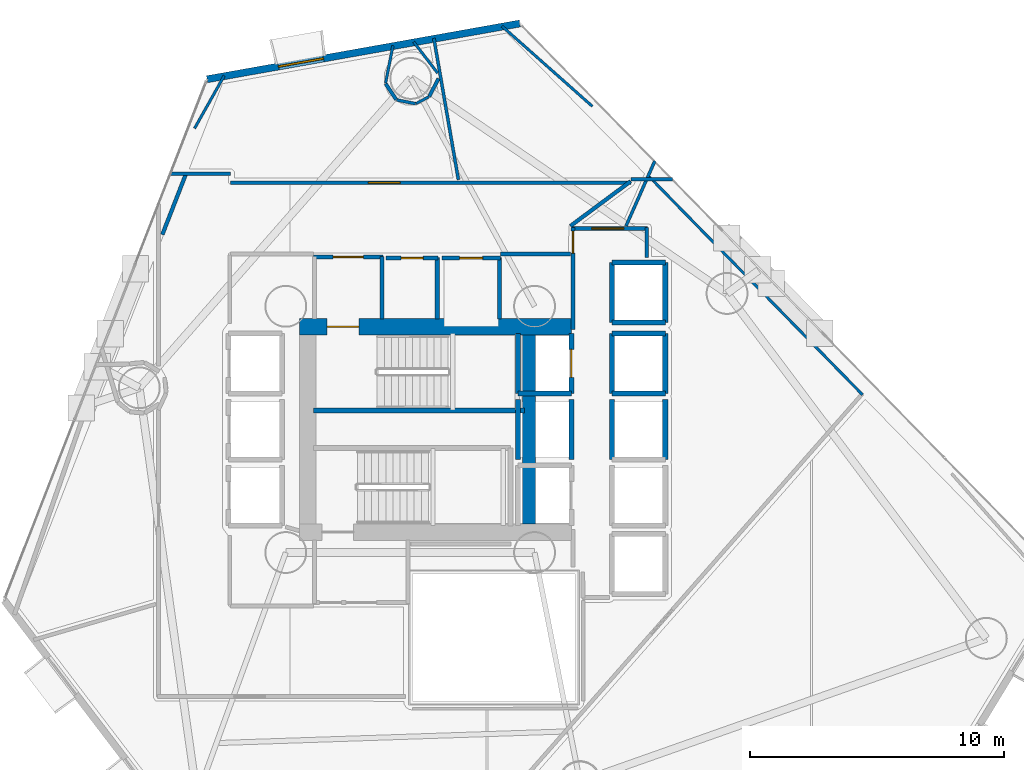
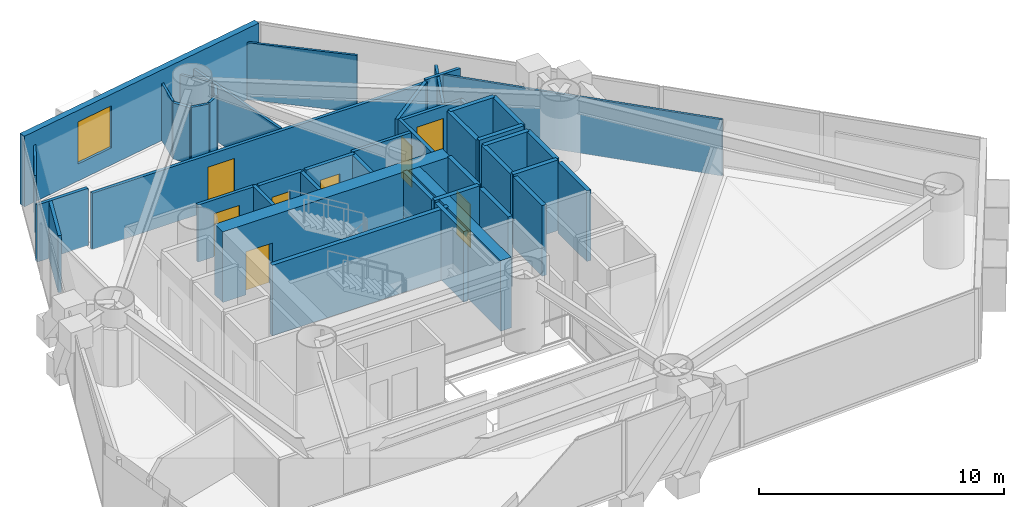
# One storey, part 17 of 23: 45 walls, 8 doors, 1 window, 9 openings.
"""IFC4 building model written with IfcOpenShell, lengths in metres."""

from ifc_helpers import new_model, si_unit, direction, frame, frame_2d, origin, place, context, subcontext, project, spatial, rectangle, extrude, material, layer, layer_set, type_object, element, fill, save


model = new_model("IFC4")

# Units and contexts
model_context = context("Model", 3, precision=1e-05, world=origin(), true_north=direction((0.0, 1.0)))
body_context = subcontext(model_context, "Body", "Model", "MODEL_VIEW")
ifc_project = project(units=[si_unit("LENGTHUNIT", "METRE"), si_unit("AREAUNIT", "SQUARE_METRE"), si_unit("VOLUMEUNIT", "CUBIC_METRE"), si_unit("PLANEANGLEUNIT", "RADIAN"), si_unit("MASSUNIT", "GRAM", prefix="KILO")], contexts=[model_context])

# Site, building, storey
site_placement = place(None, origin())
site = spatial("IfcSite", under=ifc_project, at=site_placement, CompositionType="ELEMENT")
building_placement = place(site_placement, origin())
building = spatial("IfcBuilding", under=site, at=building_placement, Name="Qianvela Tower", CompositionType="ELEMENT")
storey_placement = place(building_placement, frame((0.0, 0.0, 56.199951171875)))
storey = spatial("IfcBuildingStorey", under=building, at=storey_placement, Name="L13", CompositionType="ELEMENT", Elevation=56.199951171875)

# Wall, opening, window
ifc_material_1 = material(Name="Terracotta Cladding on Concrete C40", Category="masonry")
ifc_layer_1 = layer(ifc_material_1, 0.280029296875)
ifc_layer_set_1 = layer_set([ifc_layer_1], Name="Terracotta Cladding on Concrete C40")
wall_type_1 = type_object("IfcWallType", Name="TERRACOTTA-WALL-280", PredefinedType="SOLIDWALL", material=ifc_layer_set_1)
wall_1_placement = place(storey_placement, frame((37.820556640625, 44.6923828125, 0.0), z_axis=(0.0, 0.0, 1.0), x_axis=(-0.984485525456, -0.175465809113, 0.0)))
wall_1 = element("IfcWall", 1, at=wall_1_placement, inside=storey, type_object=wall_type_1, Name="L13 Terracotta Chamfer Facet Wall 3", PredefinedType="SOLIDWALL", context=body_context, shape_type="SweptSolid", body=[
    extrude(rectangle(XDim=12.5126953125, YDim=0.280029296875, at=frame_2d((6.25634765625, 0.0))), origin(), (0.0, 0.0, 1.0), 3.52001953125),
])
opening_1_placement = place(wall_1_placement, frame((7.85888671875, 0.0, 0.85009765625)))
opening_1 = element("IfcOpeningElement", 2, at=opening_1_placement, cuts=wall_1, Name="Opening W-01", PredefinedType="OPENING", context=body_context, shape_type="SweptSolid", body=[
    extrude(rectangle(XDim=1.800048828125, YDim=2.10009765625, at=frame_2d((0.89990234375, 1.050048828125))), frame((0.0, 0.14990234375, 0.0), z_axis=(0.0, -1.0, 0.0), x_axis=(1.0, 0.0, 0.0)), (0.0, 0.0, 1.0), 0.300048828125),
])
ifc_material_2 = material(Name="Thermally Broken Aluminium and Low-E Glass", Category="aluminium")
window_type = type_object("IfcWindowType", Name="WIN-TC-1800x2100", PartitioningType="DOUBLE_PANEL_VERTICAL", PredefinedType="WINDOW", material=ifc_material_2)
window_placement = place(opening_1_placement, origin())
window = element("IfcWindow", 3, at=window_placement, inside=storey, type_object=window_type, Name="L13 Chamfer Facet Window 3.1", OverallHeight=2.10009765625, OverallWidth=1.800048828125, PartitioningType="SINGLE_PANEL", PredefinedType="WINDOW", context=body_context, shape_type="SweptSolid", body=[
    extrude(rectangle(XDim=1.800048828125, YDim=2.10009765625, at=frame_2d((0.89990234375, 1.050048828125))), frame((0.0, 0.030029296875, 0.0), z_axis=(0.0, -1.0, 0.0), x_axis=(1.0, 0.0, 0.0)), (0.0, 0.0, 1.0), 0.06005859375),
])
fill(opening_1, window)

# Wall, opening, door
ifc_material_3 = material(Name="Concrete C60", Category="concrete")
ifc_layer_2 = layer(ifc_material_3, 0.64990234375)
ifc_layer_set_2 = layer_set([ifc_layer_2], Name="Concrete C60")
wall_type_2 = type_object("IfcWallType", Name="WT-CORE-650", PredefinedType="SHEAR", material=ifc_layer_set_2)
wall_2_placement = place(storey_placement, frame((29.1298828125, 32.7451171875, 0.0), z_axis=(0.0, 0.0, 1.0), x_axis=(1.0, 0.0, 0.0)))
wall_2 = element("IfcWall", 4, at=wall_2_placement, inside=storey, type_object=wall_type_2, Name="L13 North Core Shear Wall", PredefinedType="SHEAR", context=body_context, shape_type="SweptSolid", body=[
    extrude(rectangle(XDim=10.72021484375, YDim=0.64990234375, at=frame_2d((5.360107421875, 0.0))), origin(), (0.0, 0.0, 1.0), 3.52001953125),
])
opening_2_placement = place(wall_2_placement, frame((1.094970703125, 0.0, 0.0)))
opening_2 = element("IfcOpeningElement", 5, at=opening_2_placement, cuts=wall_2, Name="Opening D-ST1", PredefinedType="OPENING", context=body_context, shape_type="SweptSolid", body=[
    extrude(rectangle(XDim=1.25, YDim=2.14990234375, at=frame_2d((0.625, 1.074951171875))), frame((0.0, 0.3349609375, 0.0), z_axis=(0.0, -1.0, 0.0), x_axis=(1.0, 0.0, 0.0)), (0.0, 0.0, 1.0), 0.669921875),
])
ifc_material_4 = material(Name="Galvanised Fire Steel Q355B", Category="steel")
door_type_1 = type_object("IfcDoorType", Name="DT-STAIR-FD90", OperationType="NOTDEFINED", PredefinedType="DOOR", material=ifc_material_4)
door_1_placement = place(opening_2_placement, origin())
door_1 = element("IfcDoor", 6, at=door_1_placement, inside=storey, type_object=door_type_1, Name="L13 Stair ST-1 Exit Door", OperationType="SINGLE_SWING_RIGHT", OverallHeight=2.14990234375, OverallWidth=1.25, PredefinedType="DOOR", context=body_context, shape_type="SweptSolid", body=[
    extrude(rectangle(XDim=1.25, YDim=2.14990234375, at=frame_2d((0.625, 1.074951171875))), frame((0.0, 0.02490234375, 0.0), z_axis=(0.0, -1.0, 0.0), x_axis=(1.0, 0.0, 0.0)), (0.0, 0.0, 1.0), 0.050048828125),
])
fill(opening_2, door_1)

# Wall
wall_3_placement = place(storey_placement, frame((38.179931640625, 24.97998046875, 0.0), z_axis=(0.0, 0.0, 1.0), x_axis=(0.0, 1.0, 0.0)))
element("IfcWall", 7, at=wall_3_placement, inside=storey, type_object=wall_type_2, Name="L13 East Spine Core Shear Wall", PredefinedType="SHEAR", context=body_context, shape_type="SweptSolid", body=[
    extrude(rectangle(XDim=7.43994140625, YDim=0.5, at=frame_2d((3.719970703125, 0.0))), origin(), (0.0, 0.0, 1.0), 3.52001953125),
])

# Wall, opening, door
ifc_material_5 = material(Name="Fire-Rated Acoustic Gypsum Board")
ifc_layer_3 = layer(ifc_material_5, 0.14990234375)
ifc_layer_set_3 = layer_set([ifc_layer_3], Name="Fire-Rated Acoustic Gypsum Board")
wall_type_3 = type_object("IfcWallType", Name="WT-CORR-150", PredefinedType="PARTITIONING", material=ifc_layer_set_3)
wall_4_placement = place(storey_placement, frame((29.699951171875, 35.489013671875, 0.0), z_axis=(0.0, 0.0, 1.0), x_axis=(1.0, 0.0, 0.0)))
wall_4 = element("IfcWall", 8, at=wall_4_placement, inside=storey, type_object=wall_type_3, Name="L13 Partition 3", PredefinedType="PARTITIONING", context=body_context, shape_type="SweptSolid", body=[
    extrude(rectangle(XDim=2.719970703125, YDim=0.14990234375, at=frame_2d((1.35986328125, 0.0))), origin(), (0.0, 0.0, 1.0), 2.840087890625),
])
opening_3_placement = place(wall_4_placement, frame((0.760009765625, 0.0, 0.0)))
opening_3 = element("IfcOpeningElement", 9, at=opening_3_placement, cuts=wall_4, Name="Opening D-LB1", PredefinedType="OPENING", context=body_context, shape_type="SweptSolid", body=[
    extrude(rectangle(XDim=1.199951171875, YDim=2.14990234375, at=frame_2d((0.60009765625, 1.074951171875))), frame((0.0, 0.0849609375, 0.0), z_axis=(0.0, -1.0, 0.0), x_axis=(1.0, 0.0, 0.0)), (0.0, 0.0, 1.0), 0.169921875),
])
ifc_material_6 = material(Name="Glazed Fire-Rated Steel Frame", Category="steel")
door_type_2 = type_object("IfcDoorType", Name="DT-LOBBY-FD90", OperationType="NOTDEFINED", PredefinedType="DOOR", material=ifc_material_6)
door_2_placement = place(opening_3_placement, origin())
door_2 = element("IfcDoor", 10, at=door_2_placement, inside=storey, type_object=door_type_2, Name="L13 Door L13 Firefighting Lobby North to L13 Floor Corridor", OperationType="SINGLE_SWING_LEFT", OverallHeight=2.14990234375, OverallWidth=1.199951171875, PredefinedType="DOOR", context=body_context, shape_type="SweptSolid", body=[
    extrude(rectangle(XDim=1.199951171875, YDim=2.14990234375, at=frame_2d((0.60009765625, 1.074951171875))), frame((0.0, 0.02490234375, 0.0), z_axis=(0.0, -1.0, 0.0), x_axis=(1.0, 0.0, 0.0)), (0.0, 0.0, 1.0), 0.050048828125),
])
fill(opening_3, door_2)

# Wall
wall_5_placement = place(storey_placement, frame((32.388916015625, 35.52001953125, 0.0), z_axis=(0.0, 0.0, 1.0), x_axis=(0.0, -1.0, 0.0)))
element("IfcWall", 11, at=wall_5_placement, inside=storey, type_object=wall_type_3, Name="L13 Partition 4", PredefinedType="PARTITIONING", context=body_context, shape_type="SweptSolid", body=[
    extrude(rectangle(XDim=2.4619140625, YDim=0.14990234375, at=frame_2d((1.23095703125, 0.0))), origin(), (0.0, 0.0, 1.0), 2.840087890625),
])

# Wall, opening, door
wall_6_placement = place(storey_placement, frame((39.910888671875, 32.639892578125, 0.0), z_axis=(0.0, 0.0, 1.0), x_axis=(0.0, 1.0, 0.0)))
wall_6 = element("IfcWall", 12, at=wall_6_placement, inside=storey, type_object=wall_type_3, Name="L13 Partition 10", PredefinedType="PARTITIONING", context=body_context, shape_type="SweptSolid", body=[
    extrude(rectangle(XDim=4.010009765625, YDim=0.14990234375, at=frame_2d((2.0048828125, 0.0))), origin(), (0.0, 0.0, 1.0), 2.840087890625),
])
opening_4_placement = place(wall_6_placement, frame((3.010009765625, 0.0, 0.0)))
opening_4 = element("IfcOpeningElement", 13, at=opening_4_placement, cuts=wall_6, Name="Opening D-LB2", PredefinedType="OPENING", context=body_context, shape_type="SweptSolid", body=[
    extrude(rectangle(XDim=0.860107421875, YDim=2.050048828125, at=frame_2d((0.43017578125, 1.02490234375))), frame((0.0, 0.0849609375, 0.0), z_axis=(0.0, -1.0, 0.0), x_axis=(1.0, 0.0, 0.0)), (0.0, 0.0, 1.0), 0.169921875),
])
ifc_material_7 = material(Name="Insulated Steel Fire Door Q355B", Category="steel")
door_type_3 = type_object("IfcDoorType", Name="DT-LOBBY-FD90-860", OperationType="NOTDEFINED", PredefinedType="DOOR", material=ifc_material_7)
door_3_placement = place(opening_4_placement, origin())
door_3 = element("IfcDoor", 14, at=door_3_placement, inside=storey, type_object=door_type_3, Name="L13 Door L13 Lift Lobby to L13 Floor Corridor", OperationType="SINGLE_SWING_LEFT", OverallHeight=2.050048828125, OverallWidth=0.860107421875, PredefinedType="DOOR", context=body_context, shape_type="SweptSolid", body=[
    extrude(rectangle(XDim=0.860107421875, YDim=2.050048828125, at=frame_2d((0.43017578125, 1.02490234375))), frame((0.0, 0.02490234375, 0.0), z_axis=(0.0, -1.0, 0.0), x_axis=(1.0, 0.0, 0.0)), (0.0, 0.0, 1.0), 0.050048828125),
])
fill(opening_4, door_3)

wall_7_placement = place(storey_placement, frame((39.8798828125, 36.618896484375, 0.0), z_axis=(0.0, 0.0, 1.0), x_axis=(1.0, 0.0, 0.0)))
wall_7 = element("IfcWall", 15, at=wall_7_placement, inside=storey, type_object=wall_type_3, Name="L13 Partition 11", PredefinedType="PARTITIONING", context=body_context, shape_type="SweptSolid", body=[
    extrude(rectangle(XDim=2.97021484375, YDim=0.14990234375, at=frame_2d((1.485107421875, 0.0))), origin(), (0.0, 0.0, 1.0), 2.798095703125),
])
opening_5_placement = place(wall_7_placement, frame((0.77783203125, 0.0, 0.0)))
opening_5 = element("IfcOpeningElement", 16, at=opening_5_placement, cuts=wall_7, Name="Opening D-LG1", PredefinedType="OPENING", context=body_context, shape_type="SweptSolid", body=[
    extrude(rectangle(XDim=1.25, YDim=2.199951171875, at=frame_2d((0.625, 1.10009765625))), frame((0.0, 0.0849609375, 0.0), z_axis=(0.0, -1.0, 0.0), x_axis=(1.0, 0.0, 0.0)), (0.0, 0.0, 1.0), 0.169921875),
])
ifc_material_8 = material(Name="Anodised Aluminium Acoustic Glass Door", Category="aluminium")
door_type_4 = type_object("IfcDoorType", Name="DT-LOUNGE-1250", OperationType="NOTDEFINED", PredefinedType="DOOR", material=ifc_material_8)
door_4_placement = place(opening_5_placement, origin())
door_4 = element("IfcDoor", 17, at=door_4_placement, inside=storey, type_object=door_type_4, Name="L13 Door Media Practice Cinema L13-02 to L13 Lift Lobby", OperationType="SINGLE_SWING_LEFT", OverallHeight=2.199951171875, OverallWidth=1.25, PredefinedType="DOOR", context=body_context, shape_type="SweptSolid", body=[
    extrude(rectangle(XDim=1.25, YDim=2.199951171875, at=frame_2d((0.625, 1.10009765625))), frame((0.0, 0.02490234375, 0.0), z_axis=(0.0, -1.0, 0.0), x_axis=(1.0, 0.0, 0.0)), (0.0, 0.0, 1.0), 0.050048828125),
])
fill(opening_5, door_4)

# Walls
wall_8_placement = place(storey_placement, frame((42.819091796875, 36.64990234375, 0.0), z_axis=(0.0, 0.0, 1.0), x_axis=(0.0, -1.0, 0.0)))
element("IfcWall", 18, at=wall_8_placement, inside=storey, type_object=wall_type_3, Name="L13 Partition 12", PredefinedType="PARTITIONING", context=body_context, shape_type="SweptSolid", body=[
    extrude(rectangle(XDim=1.169921875, YDim=0.14990234375, at=frame_2d((0.5849609375, 0.0))), origin(), (0.0, 0.0, 1.0), 2.798095703125),
])
wall_9_placement = place(storey_placement, frame((23.736083984375, 36.37548828125, 0.0), z_axis=(0.0, 0.0, 1.0), x_axis=(0.362842007319, 0.931850673512, 0.0)))
element("IfcWall", 19, at=wall_9_placement, inside=storey, type_object=wall_type_3, Name="L13 Partition 40", PredefinedType="PARTITIONING", context=body_context, shape_type="SweptSolid", body=[
    extrude(rectangle(XDim=2.58984375, YDim=0.14990234375, at=frame_2d((1.294921875, 0.0))), origin(), (0.0, 0.0, 1.0), 2.840087890625),
])
wall_10_placement = place(storey_placement, frame((24.030029296875, 38.76904296875, 0.0), z_axis=(0.0, 0.0, 1.0), x_axis=(1.0, 0.0, 0.0)))
element("IfcWall", 20, at=wall_10_placement, inside=storey, type_object=wall_type_3, Name="L13 Partition 41", PredefinedType="PARTITIONING", context=body_context, shape_type="SweptSolid", body=[
    extrude(rectangle(XDim=2.389892578125, YDim=0.14990234375, at=frame_2d((1.19482421875, 0.0))), origin(), (0.0, 0.0, 1.0), 2.840087890625),
])

# Wall, opening, door
wall_11_placement = place(storey_placement, frame((26.419921875, 38.4189453125, 0.0), z_axis=(0.0, 0.0, 1.0), x_axis=(1.0, 0.0, 0.0)))
wall_11 = element("IfcWall", 21, at=wall_11_placement, inside=storey, type_object=wall_type_3, Name="L13 Partition 42", PredefinedType="PARTITIONING", context=body_context, shape_type="SweptSolid", body=[
    extrude(rectangle(XDim=15.783203125, YDim=0.14990234375, at=frame_2d((7.8916015625, 0.0))), origin(), (0.0, 0.0, 1.0), 2.798095703125),
])
opening_6_placement = place(wall_11_placement, frame((5.4375, 0.0, 0.0)))
opening_6 = element("IfcOpeningElement", 22, at=opening_6_placement, cuts=wall_11, Name="Opening D-LG1", PredefinedType="OPENING", context=body_context, shape_type="SweptSolid", body=[
    extrude(rectangle(XDim=1.25, YDim=2.199951171875, at=frame_2d((0.625, 1.10009765625))), frame((0.0, 0.0849609375, 0.0), z_axis=(0.0, -1.0, 0.0), x_axis=(1.0, 0.0, 0.0)), (0.0, 0.0, 1.0), 0.169921875),
])
door_5_placement = place(opening_6_placement, origin())
door_5 = element("IfcDoor", 23, at=door_5_placement, inside=storey, type_object=door_type_4, Name="L13 Door Student Fitness Gym L13-03 to L13 Floor Corridor", OperationType="SINGLE_SWING_RIGHT", OverallHeight=2.199951171875, OverallWidth=1.25, PredefinedType="DOOR", context=body_context, shape_type="SweptSolid", body=[
    extrude(rectangle(XDim=1.25, YDim=2.199951171875, at=frame_2d((0.625, 1.10009765625))), frame((0.0, 0.02490234375, 0.0), z_axis=(0.0, -1.0, 0.0), x_axis=(1.0, 0.0, 0.0)), (0.0, 0.0, 1.0), 0.050048828125),
])
fill(opening_6, door_5)

# Walls
wall_12_placement = place(storey_placement, frame((42.1845703125, 38.474853515625, 0.0), z_axis=(0.0, 0.0, 1.0), x_axis=(-0.802818467394, -0.596223538961, 0.0)))
element("IfcWall", 24, at=wall_12_placement, inside=storey, type_object=wall_type_3, Name="L13 Partition 43", PredefinedType="PARTITIONING", context=body_context, shape_type="SweptSolid", body=[
    extrude(rectangle(XDim=2.953125, YDim=0.14990234375, at=frame_2d((1.4765625, 0.0))), origin(), (0.0, 0.0, 1.0), 2.798095703125),
])
wall_13_placement = place(storey_placement, frame((39.818115234375, 35.611083984375, 0.0), z_axis=(0.0, 0.0, 1.0), x_axis=(-1.0, 0.0, 0.0)))
element("IfcWall", 25, at=wall_13_placement, inside=storey, type_object=wall_type_3, Name="L13 Partition 45 seg 1", PredefinedType="PARTITIONING", context=body_context, shape_type="SweptSolid", body=[
    extrude(rectangle(XDim=2.76806640625, YDim=0.14990234375, at=frame_2d((1.384033203125, 0.0))), origin(), (0.0, 0.0, 1.0), 2.840087890625),
])
ifc_material_9 = material(Name="Lightweight Gypsum Room Partition")
ifc_layer_4 = layer(ifc_material_9, 0.10498046875)
ifc_layer_set_4 = layer_set([ifc_layer_4], Name="Lightweight Gypsum Room Partition")
wall_type_4 = type_object("IfcWallType", Name="WT-PART-105", PredefinedType="PARTITIONING", material=ifc_layer_set_4)
wall_14_placement = place(storey_placement, frame((42.84912109375, 38.727783203125, 0.0), z_axis=(0.0, 0.0, 1.0), x_axis=(0.699253855462, -0.714873447276, 0.0)))
element("IfcWall", 26, at=wall_14_placement, inside=storey, type_object=wall_type_4, Name="L13 Partition 66", PredefinedType="PARTITIONING", context=body_context, shape_type="SweptSolid", body=[
    extrude(rectangle(XDim=12.113525390625, YDim=0.10498046875, at=frame_2d((6.056640625, 0.0))), origin(), (0.0, 0.0, 1.0), 2.798095703125),
])
wall_15_placement = place(storey_placement, frame((37.12060546875, 44.58447265625, 0.0), z_axis=(0.0, 0.0, 1.0), x_axis=(0.748029411427, -0.663665578164, 0.0)))
element("IfcWall", 27, at=wall_15_placement, inside=storey, type_object=wall_type_4, Name="L13 Partition 78 seg 1", PredefinedType="PARTITIONING", context=body_context, shape_type="SweptSolid", body=[
    extrude(rectangle(XDim=4.754638671875, YDim=0.10498046875, at=frame_2d((2.37744140625, 0.0))), origin(), (0.0, 0.0, 1.0), 2.840087890625),
])
wall_16_placement = place(storey_placement, frame((25.005126953125, 40.559814453125, 0.0), z_axis=(0.0, 0.0, 1.0), x_axis=(0.490850312815, 0.871243921304, 0.0)))
element("IfcWall", 28, at=wall_16_placement, inside=storey, type_object=wall_type_4, Name="L13 Partition 84 seg 1", PredefinedType="PARTITIONING", context=body_context, shape_type="SweptSolid", body=[
    extrude(rectangle(XDim=2.38037109375, YDim=0.10498046875, at=frame_2d((1.190185546875, 0.0))), origin(), (0.0, 0.0, 1.0), 2.840087890625),
])
wall_17_placement = place(storey_placement, frame((34.58251953125, 42.736572265625, 0.0), z_axis=(0.0, 0.0, 1.0), x_axis=(-0.609634629106, 0.792682546165, 0.0)))
element("IfcWall", 29, at=wall_17_placement, inside=storey, type_object=wall_type_4, Name="L13 Partition 87", PredefinedType="PARTITIONING", context=body_context, shape_type="SweptSolid", body=[
    extrude(rectangle(XDim=1.5498046875, YDim=0.10498046875, at=frame_2d((0.77490234375, 0.0))), origin(), (0.0, 0.0, 1.0), 2.840087890625),
])
wall_18_placement = place(storey_placement, frame((32.823486328125, 43.82080078125, 0.0), z_axis=(0.0, 0.0, 1.0), x_axis=(-0.195087740914, -0.980785793813, 0.0)))
element("IfcWall", 30, at=wall_18_placement, inside=storey, type_object=wall_type_4, Name="L13 Partition 90", PredefinedType="PARTITIONING", context=body_context, shape_type="SweptSolid", body=[
    extrude(rectangle(XDim=1.5068359375, YDim=0.10498046875, at=frame_2d((0.75341796875, 0.0))), origin(), (0.0, 0.0, 1.0), 2.840087890625),
])
wall_19_placement = place(storey_placement, frame((33.73291015625, 41.53564453125, 0.0), z_axis=(0.0, 0.0, 1.0), x_axis=(0.881879626118, 0.471474628201, 0.0)))
element("IfcWall", 31, at=wall_19_placement, inside=storey, type_object=wall_type_4, Name="L13 Partition 93", PredefinedType="PARTITIONING", context=body_context, shape_type="SweptSolid", body=[
    extrude(rectangle(XDim=0.57177734375, YDim=0.10498046875, at=frame_2d((0.285888671875, 0.0))), origin(), (0.0, 0.0, 1.0), 2.840087890625),
])
ifc_material_10 = material(Name="Insulated Gypsum Stud Partition")
ifc_layer_5 = layer(ifc_material_10, 0.1201171875)
ifc_layer_set_5 = layer_set([ifc_layer_5], Name="Insulated Gypsum Stud Partition")
wall_type_5 = type_object("IfcWallType", Name="WT-PART-120", PredefinedType="PARTITIONING", material=ifc_layer_set_5)
wall_20_placement = place(storey_placement, frame((42.0048828125, 36.71728515625, 0.0), z_axis=(0.0, 0.0, 1.0), x_axis=(0.405063455742, 0.914288574151, 0.0)))
element("IfcWall", 32, at=wall_20_placement, inside=storey, type_object=wall_type_5, Name="L13 Partition 65", PredefinedType="PARTITIONING", context=body_context, shape_type="SweptSolid", body=[
    extrude(rectangle(XDim=2.80322265625, YDim=0.1201171875, at=frame_2d((1.401611328125, 0.0))), origin(), (0.0, 0.0, 1.0), 2.798095703125),
])
wall_21_placement = place(storey_placement, frame((35.400146484375, 38.535400390625, 0.0), z_axis=(0.0, 0.0, 1.0), x_axis=(-0.170904038855, 0.98528767855, 0.0)))
element("IfcWall", 33, at=wall_21_placement, inside=storey, type_object=wall_type_5, Name="L13 Partition 83", PredefinedType="PARTITIONING", context=body_context, shape_type="SweptSolid", body=[
    extrude(rectangle(XDim=5.656982421875, YDim=0.1201171875, at=frame_2d((2.82861328125, 0.0))), origin(), (0.0, 0.0, 1.0), 2.798095703125),
])
wall_22_placement = place(storey_placement, frame((32.97265625, 41.6796875, 0.0), z_axis=(0.0, 0.0, 1.0), x_axis=(0.980754635727, -0.195244320021, 0.0)))
element("IfcWall", 34, at=wall_22_placement, inside=storey, type_object=wall_type_5, Name="L13 Partition 92", PredefinedType="PARTITIONING", context=body_context, shape_type="SweptSolid", body=[
    extrude(rectangle(XDim=0.75390625, YDim=0.1201171875, at=frame_2d((0.376953125, 0.0))), origin(), (0.0, 0.0, 1.0), 2.798095703125),
])

# Wall, opening, door
ifc_material_11 = material(Name="Sanitary Service Chase Partition")
ifc_layer_6 = layer(ifc_material_11, 0.1650390625)
ifc_layer_set_6 = layer_set([ifc_layer_6], Name="Sanitary Service Chase Partition")
wall_type_6 = type_object("IfcWallType", Name="WT-PLUMB-165", PredefinedType="PLUMBINGWALL", material=ifc_layer_set_6)
wall_23_placement = place(storey_placement, frame((32.550048828125, 35.448974609375, 0.0), z_axis=(0.0, 0.0, 1.0), x_axis=(1.0, 0.0, 0.0)))
wall_23 = element("IfcWall", 35, at=wall_23_placement, inside=storey, type_object=wall_type_6, Name="L13 Partition 20", PredefinedType="PLUMBINGWALL", context=body_context, shape_type="SweptSolid", body=[
    extrude(rectangle(XDim=2.050048828125, YDim=0.1650390625, at=frame_2d((1.02490234375, 0.0))), origin(), (0.0, 0.0, 1.0), 2.840087890625),
])
opening_7_placement = place(wall_23_placement, frame((0.594970703125, 0.0, 0.0)))
opening_7 = element("IfcOpeningElement", 36, at=opening_7_placement, cuts=wall_23, Name="Opening D-WC1", PredefinedType="OPENING", context=body_context, shape_type="SweptSolid", body=[
    extrude(rectangle(XDim=0.860107421875, YDim=2.050048828125, at=frame_2d((0.43017578125, 1.02490234375))), frame((0.0, 0.092529296875, 0.0), z_axis=(0.0, -1.0, 0.0), x_axis=(1.0, 0.0, 0.0)), (0.0, 0.0, 1.0), 0.18505859375),
])
ifc_material_12 = material(Name="Moisture-Sealed Acoustic Timber Door", Category="wood")
door_type_5 = type_object("IfcDoorType", Name="DT-WC-860", OperationType="NOTDEFINED", PredefinedType="DOOR", material=ifc_material_12)
door_6_placement = place(opening_7_placement, origin())
door_6 = element("IfcDoor", 37, at=door_6_placement, inside=storey, type_object=door_type_5, Name="L13 Door L13 Accessible WC to L13 Floor Corridor", OperationType="SINGLE_SWING_RIGHT", OverallHeight=2.050048828125, OverallWidth=0.860107421875, PredefinedType="DOOR", context=body_context, shape_type="SweptSolid", body=[
    extrude(rectangle(XDim=0.860107421875, YDim=2.050048828125, at=frame_2d((0.43017578125, 1.02490234375))), frame((0.0, 0.02490234375, 0.0), z_axis=(0.0, -1.0, 0.0), x_axis=(1.0, 0.0, 0.0)), (0.0, 0.0, 1.0), 0.050048828125),
])
fill(opening_7, door_6)

# Wall
wall_24_placement = place(storey_placement, frame((34.569091796875, 35.47998046875, 0.0), z_axis=(0.0, 0.0, 1.0), x_axis=(0.0, -1.0, 0.0)))
element("IfcWall", 38, at=wall_24_placement, inside=storey, type_object=wall_type_6, Name="L13 Partition 21", PredefinedType="PLUMBINGWALL", context=body_context, shape_type="SweptSolid", body=[
    extrude(rectangle(XDim=2.421875, YDim=0.1650390625, at=frame_2d((1.2109375, 0.0))), origin(), (0.0, 0.0, 1.0), 2.840087890625),
])

# Wall, opening, door
wall_25_placement = place(storey_placement, frame((34.75, 35.448974609375, 0.0), z_axis=(0.0, 0.0, 1.0), x_axis=(1.0, 0.0, 0.0)))
wall_25 = element("IfcWall", 39, at=wall_25_placement, inside=storey, type_object=wall_type_6, Name="L13 Partition 24", PredefinedType="PLUMBINGWALL", context=body_context, shape_type="SweptSolid", body=[
    extrude(rectangle(XDim=2.300048828125, YDim=0.1650390625, at=frame_2d((1.14990234375, 0.0))), origin(), (0.0, 0.0, 1.0), 2.840087890625),
])
opening_8_placement = place(wall_25_placement, frame((0.699951171875, 0.0, 0.0)))
opening_8 = element("IfcOpeningElement", 40, at=opening_8_placement, cuts=wall_25, Name="Opening D-KT1", PredefinedType="OPENING", context=body_context, shape_type="SweptSolid", body=[
    extrude(rectangle(XDim=0.89990234375, YDim=2.10009765625, at=frame_2d((0.449951171875, 1.050048828125))), frame((0.0, 0.092529296875, 0.0), z_axis=(0.0, -1.0, 0.0), x_axis=(1.0, 0.0, 0.0)), (0.0, 0.0, 1.0), 0.18505859375),
])
ifc_material_13 = material(Name="Glazed Timber Kitchen Door", Category="wood")
door_type_6 = type_object("IfcDoorType", Name="DT-KITCH-900", OperationType="NOTDEFINED", PredefinedType="DOOR", material=ifc_material_13)
door_7_placement = place(opening_8_placement, origin())
door_7 = element("IfcDoor", 41, at=door_7_placement, inside=storey, type_object=door_type_6, Name="L13 Door L13 Core Tea Pantry to L13 Floor Corridor", OperationType="SINGLE_SWING_LEFT", OverallHeight=2.10009765625, OverallWidth=0.89990234375, PredefinedType="DOOR", context=body_context, shape_type="SweptSolid", body=[
    extrude(rectangle(XDim=0.89990234375, YDim=2.10009765625, at=frame_2d((0.449951171875, 1.050048828125))), frame((0.0, 0.02490234375, 0.0), z_axis=(0.0, -1.0, 0.0), x_axis=(1.0, 0.0, 0.0)), (0.0, 0.0, 1.0), 0.050048828125),
])
fill(opening_8, door_7)

# Walls
wall_26_placement = place(storey_placement, frame((37.01904296875, 35.47998046875, 0.0), z_axis=(0.0, 0.0, 1.0), x_axis=(0.0, -1.0, 0.0)))
element("IfcWall", 42, at=wall_26_placement, inside=storey, type_object=wall_type_6, Name="L13 Partition 25", PredefinedType="PLUMBINGWALL", context=body_context, shape_type="SweptSolid", body=[
    extrude(rectangle(XDim=2.421875, YDim=0.1650390625, at=frame_2d((1.2109375, 0.0))), origin(), (0.0, 0.0, 1.0), 2.840087890625),
])
ifc_material_14 = material(Name="Acoustic Double Gypsum Stud Partition")
ifc_layer_7 = layer(ifc_material_14, 0.139892578125)
ifc_layer_set_7 = layer_set([ifc_layer_7], Name="Acoustic Double Gypsum Stud Partition")
wall_type_7 = type_object("IfcWallType", Name="WT-ROOM-140", PredefinedType="PARTITIONING", material=ifc_layer_set_7)
wall_27_placement = place(storey_placement, frame((43.84228515625, 38.556640625, 0.0), z_axis=(0.0, 0.0, 1.0), x_axis=(-0.999999822529, 0.000595769927, 0.0)))
element("IfcWall", 43, at=wall_27_placement, inside=storey, type_object=wall_type_7, Name="L13 Partition 82 seg 1", PredefinedType="PARTITIONING", context=body_context, shape_type="SweptSolid", body=[
    extrude(rectangle(XDim=1.63916015625, YDim=0.139892578125, at=frame_2d((0.819580078125, 0.0))), origin(), (0.0, 0.0, 1.0), 2.840087890625),
])
wall_28_placement = place(storey_placement, frame((32.5341796875, 42.319580078125, 0.0), z_axis=(0.0, 0.0, 1.0), x_axis=(0.555522182913, -0.831501716349, 0.0)))
element("IfcWall", 44, at=wall_28_placement, inside=storey, type_object=wall_type_7, Name="L13 Partition 91", PredefinedType="PARTITIONING", context=body_context, shape_type="SweptSolid", body=[
    extrude(rectangle(XDim=0.753662109375, YDim=0.139892578125, at=frame_2d((0.376953125, 0.0))), origin(), (0.0, 0.0, 1.0), 2.798095703125),
])
wall_29_placement = place(storey_placement, frame((34.25, 41.818115234375, 0.0), z_axis=(0.0, 0.0, 1.0), x_axis=(0.461285046472, 0.887251996843, 0.0)))
element("IfcWall", 45, at=wall_29_placement, inside=storey, type_object=wall_type_7, Name="L13 Partition 94", PredefinedType="PARTITIONING", context=body_context, shape_type="SweptSolid", body=[
    extrude(rectangle(XDim=0.794921875, YDim=0.139892578125, at=frame_2d((0.3974609375, 0.0))), origin(), (0.0, 0.0, 1.0), 2.798095703125),
])
ifc_material_15 = material(Name="Concrete C50", Category="concrete")
ifc_layer_8 = layer(ifc_material_15, 0.199951171875)
ifc_layer_set_8 = layer_set([ifc_layer_8], Name="Concrete C50")
wall_type_8 = type_object("IfcWallType", Name="WT-SHAFT-200", PredefinedType="SOLIDWALL", material=ifc_layer_set_8)
wall_30_placement = place(storey_placement, frame((29.699951171875, 29.449951171875, 0.0), z_axis=(0.0, 0.0, 1.0), x_axis=(1.0, 0.0, 0.0)))
element("IfcWall", 46, at=wall_30_placement, inside=storey, type_object=wall_type_8, Name="L13 Stair ST-1 South Wall", PredefinedType="SOLIDWALL", context=body_context, shape_type="SweptSolid", body=[
    extrude(rectangle(XDim=8.300048828125, YDim=0.199951171875, at=frame_2d((4.14990234375, 0.0))), origin(), (0.0, 0.0, 1.0), 3.52001953125),
])

# Wall, opening, door
wall_31_placement = place(storey_placement, frame((39.85009765625, 30.1201171875, 0.0), z_axis=(0.0, 0.0, 1.0), x_axis=(0.0, 1.0, 0.0)))
wall_31 = element("IfcWall", 47, at=wall_31_placement, inside=storey, type_object=wall_type_8, Name="L13 Lift FL-1 E Shaft Wall", PredefinedType="SOLIDWALL", context=body_context, shape_type="SweptSolid", body=[
    extrude(rectangle(XDim=2.35986328125, YDim=0.199951171875, at=frame_2d((1.179931640625, 0.0))), origin(), (0.0, 0.0, 1.0), 3.52001953125),
])
opening_9_placement = place(wall_31_placement, frame((0.6298828125, 0.0, 0.0)))
opening_9 = element("IfcOpeningElement", 48, at=opening_9_placement, cuts=wall_31, Name="Opening LD-01", PredefinedType="OPENING", context=body_context, shape_type="SweptSolid", body=[
    extrude(rectangle(XDim=1.10009765625, YDim=2.14990234375, at=frame_2d((0.550048828125, 1.074951171875))), frame((0.0, 0.10986328125, 0.0), z_axis=(0.0, -1.0, 0.0), x_axis=(1.0, 0.0, 0.0)), (0.0, 0.0, 1.0), 0.219970703125),
])
ifc_material_16 = material(Name="Brushed Stainless Steel Lift Landing Door", Category="steel")
door_type_7 = type_object("IfcDoorType", Name="DT-LIFT-SLIDE-1100", OperationType="SLIDING_TO_LEFT", PredefinedType="DOOR", material=ifc_material_16)
door_8_placement = place(opening_9_placement, origin())
door_8 = element("IfcDoor", 49, at=door_8_placement, inside=storey, type_object=door_type_7, Name="L13 Lift FL-1 Sliding Landing Door", OperationType="SLIDING_TO_LEFT", OverallHeight=2.14990234375, OverallWidth=1.10009765625, PredefinedType="DOOR", context=body_context, shape_type="SweptSolid", body=[
    extrude(rectangle(XDim=1.10009765625, YDim=2.14990234375, at=frame_2d((0.550048828125, 1.074951171875))), frame((0.0, 0.02490234375, 0.0), z_axis=(0.0, -1.0, 0.0), x_axis=(1.0, 0.0, 0.0)), (0.0, 0.0, 1.0), 0.050048828125),
])
fill(opening_9, door_8)

# Walls
wall_32_placement = place(storey_placement, frame((37.75, 30.1201171875, 0.0), z_axis=(0.0, 0.0, 1.0), x_axis=(0.0, 1.0, 0.0)))
element("IfcWall", 50, at=wall_32_placement, inside=storey, type_object=wall_type_8, Name="L13 Lift FL-1 W Shaft Wall", PredefinedType="SOLIDWALL", context=body_context, shape_type="SweptSolid", body=[
    extrude(rectangle(XDim=2.35986328125, YDim=0.199951171875, at=frame_2d((1.179931640625, 0.0))), origin(), (0.0, 0.0, 1.0), 3.52001953125),
])
wall_33_placement = place(storey_placement, frame((37.75, 30.1201171875, 0.0), z_axis=(0.0, 0.0, 1.0), x_axis=(1.0, 0.0, 0.0)))
element("IfcWall", 51, at=wall_33_placement, inside=storey, type_object=wall_type_8, Name="L13 Lift FL-1 S Shaft Wall", PredefinedType="SOLIDWALL", context=body_context, shape_type="SweptSolid", body=[
    extrude(rectangle(XDim=2.10009765625, YDim=0.199951171875, at=frame_2d((1.050048828125, 0.0))), origin(), (0.0, 0.0, 1.0), 3.52001953125),
])
for number, where, z_axis, x_axis, name in (
    (52, (43.550048828125, 30.1201171875, 0.0), (0.0, 0.0, 1.0), (0.0, 1.0, 0.0), "L13 Lift PL-M1 E Shaft Wall"),
    (53, (41.449951171875, 30.1201171875, 0.0), (0.0, 0.0, 1.0), (0.0, 1.0, 0.0), "L13 Lift PL-M1 W Shaft Wall"),
):
    element("IfcWall", number, at=place(storey_placement, frame(where, z_axis=z_axis, x_axis=x_axis)), inside=storey, type_object=wall_type_8, Name=name, PredefinedType="SOLIDWALL", context=body_context, shape_type="SweptSolid", body=[
        extrude(rectangle(XDim=2.35986328125, YDim=0.199951171875, at=frame_2d((1.179931640625, 0.0))), origin(), (0.0, 0.0, 1.0), 3.52001953125),
    ])
for number, where, z_axis, x_axis, name in (
    (54, (41.449951171875, 32.47998046875, 0.0), (0.0, 0.0, 1.0), (1.0, 0.0, 0.0), "L13 Lift PL-M1 N Shaft Wall"),
    (55, (41.449951171875, 30.1201171875, 0.0), (0.0, 0.0, 1.0), (1.0, 0.0, 0.0), "L13 Lift PL-M1 S Shaft Wall"),
):
    element("IfcWall", number, at=place(storey_placement, frame(where, z_axis=z_axis, x_axis=x_axis)), inside=storey, type_object=wall_type_8, Name=name, PredefinedType="SOLIDWALL", context=body_context, shape_type="SweptSolid", body=[
        extrude(rectangle(XDim=2.10009765625, YDim=0.199951171875, at=frame_2d((1.050048828125, 0.0))), origin(), (0.0, 0.0, 1.0), 3.52001953125),
    ])
for number, where, z_axis, x_axis, name in (
    (56, (43.550048828125, 27.52001953125, 0.0), (0.0, 0.0, 1.0), (0.0, 1.0, 0.0), "L13 Lift PL-M2 E Shaft Wall"),
    (57, (41.449951171875, 27.52001953125, 0.0), (0.0, 0.0, 1.0), (0.0, 1.0, 0.0), "L13 Lift PL-M2 W Shaft Wall"),
    (58, (39.85009765625, 27.52001953125, 0.0), (0.0, 0.0, 1.0), (0.0, 1.0, 0.0), "L13 Lift PL-H1 E Shaft Wall"),
    (59, (37.75, 27.52001953125, 0.0), (0.0, 0.0, 1.0), (0.0, 1.0, 0.0), "L13 Lift PL-H1 W Shaft Wall"),
):
    element("IfcWall", number, at=place(storey_placement, frame(where, z_axis=z_axis, x_axis=x_axis)), inside=storey, type_object=wall_type_8, Name=name, PredefinedType="SOLIDWALL", context=body_context, shape_type="SweptSolid", body=[
        extrude(rectangle(XDim=2.35986328125, YDim=0.199951171875, at=frame_2d((1.179931640625, 0.0))), origin(), (0.0, 0.0, 1.0), 3.52001953125),
    ])
for number, where, z_axis, x_axis, name in (
    (60, (43.550048828125, 32.919921875, 0.0), (0.0, 0.0, 1.0), (0.0, 1.0, 0.0), "L13 Lift PL-H3 E Shaft Wall"),
    (61, (41.449951171875, 32.919921875, 0.0), (0.0, 0.0, 1.0), (0.0, 1.0, 0.0), "L13 Lift PL-H3 W Shaft Wall"),
):
    element("IfcWall", number, at=place(storey_placement, frame(where, z_axis=z_axis, x_axis=x_axis)), inside=storey, type_object=wall_type_8, Name=name, PredefinedType="SOLIDWALL", context=body_context, shape_type="SweptSolid", body=[
        extrude(rectangle(XDim=2.360107421875, YDim=0.199951171875, at=frame_2d((1.18017578125, 0.0))), origin(), (0.0, 0.0, 1.0), 3.52001953125),
    ])
for number, where, z_axis, x_axis, name in (
    (62, (41.449951171875, 35.280029296875, 0.0), (0.0, 0.0, 1.0), (1.0, 0.0, 0.0), "L13 Lift PL-H3 N Shaft Wall"),
    (63, (41.449951171875, 32.919921875, 0.0), (0.0, 0.0, 1.0), (1.0, 0.0, 0.0), "L13 Lift PL-H3 S Shaft Wall"),
):
    element("IfcWall", number, at=place(storey_placement, frame(where, z_axis=z_axis, x_axis=x_axis)), inside=storey, type_object=wall_type_8, Name=name, PredefinedType="SOLIDWALL", context=body_context, shape_type="SweptSolid", body=[
        extrude(rectangle(XDim=2.10009765625, YDim=0.199951171875, at=frame_2d((1.050048828125, 0.0))), origin(), (0.0, 0.0, 1.0), 3.52001953125),
    ])

save(model, "model.ifc")
